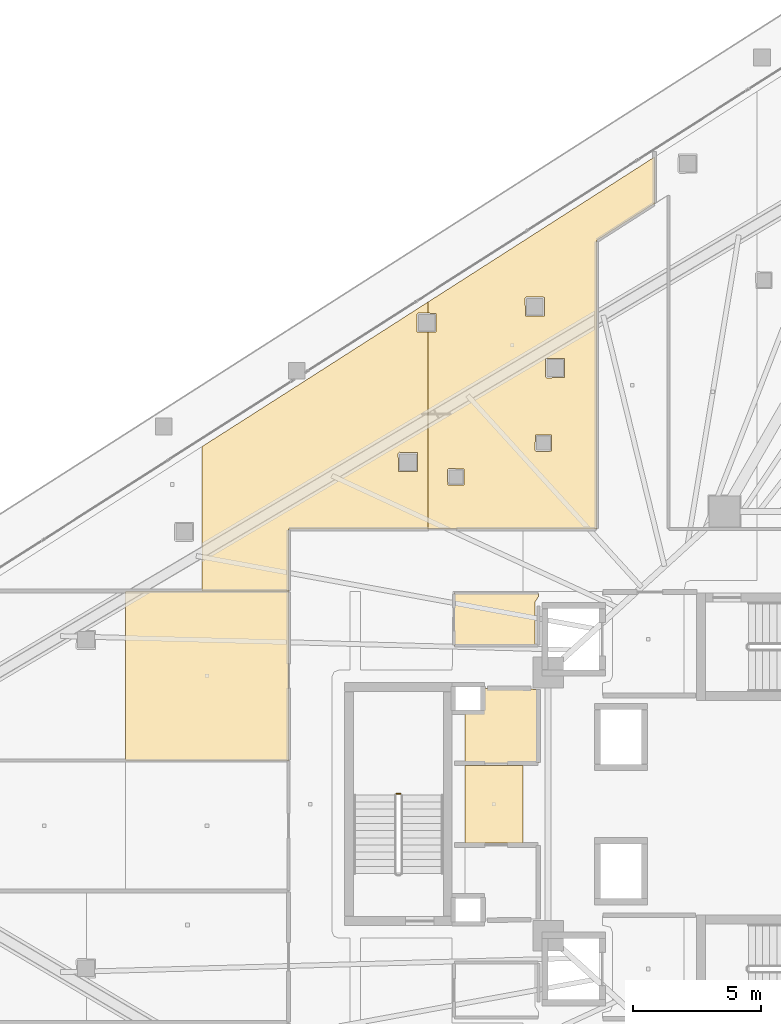
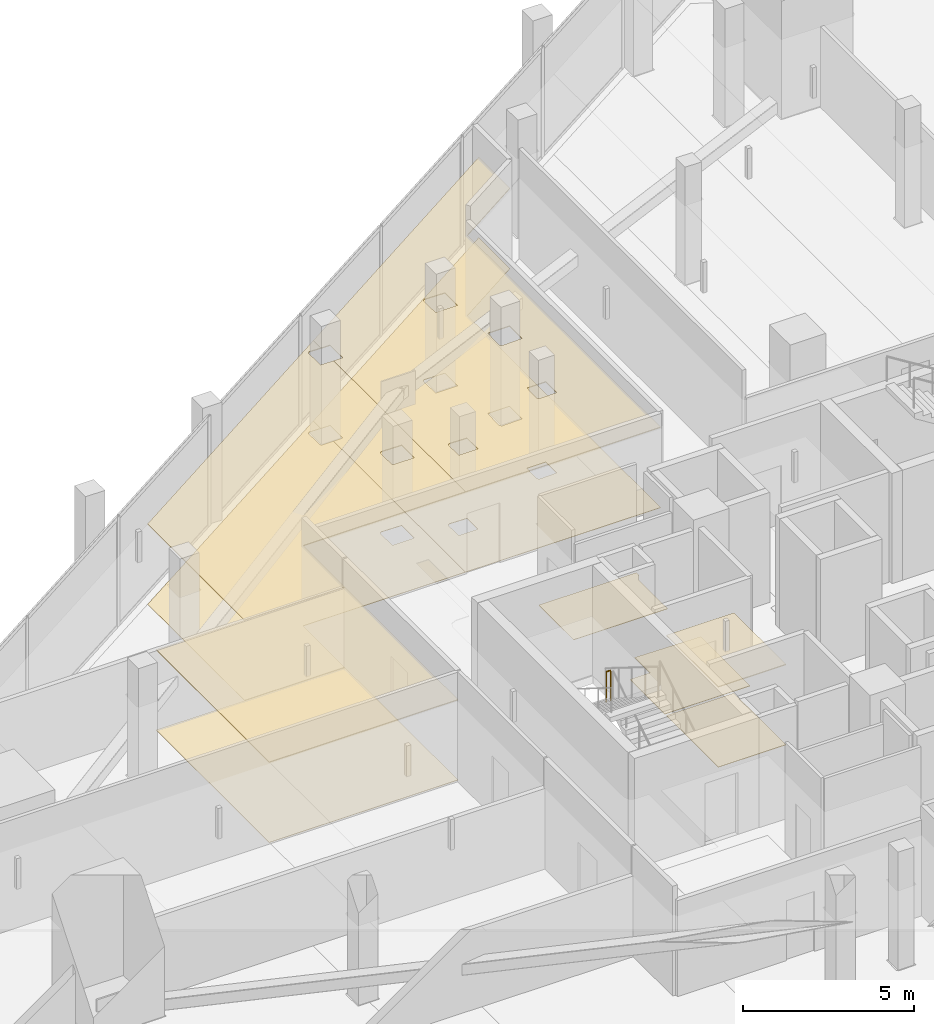
# One storey, part 49 of 52: 10 coverings, 1 railing.
"""IFC4 building model written with IfcOpenShell, lengths in metres."""

from ifc_helpers import new_model, si_unit, direction, frame, origin, origin_2d, place, context, subcontext, project, spatial, polyline, circle, outline, extrude, material, layer, layer_set, type_object, element, save


model = new_model("IFC4")

# Units and contexts
model_context = context("Model", 3, precision=1e-05, world=origin(), true_north=direction((0.0, 1.0)))
body_context = subcontext(model_context, "Body", "Model", "MODEL_VIEW")
ifc_project = project(units=[si_unit("LENGTHUNIT", "METRE"), si_unit("AREAUNIT", "SQUARE_METRE"), si_unit("VOLUMEUNIT", "CUBIC_METRE"), si_unit("PLANEANGLEUNIT", "RADIAN"), si_unit("MASSUNIT", "GRAM", prefix="KILO")], contexts=[model_context])

# Site, building, storey
site_placement = place(None, origin())
site = spatial("IfcSite", under=ifc_project, at=site_placement, CompositionType="ELEMENT")
building_placement = place(site_placement, origin())
building = spatial("IfcBuilding", under=site, at=building_placement, Name="Qorvath Tower", CompositionType="ELEMENT")
storey_placement = place(building_placement, frame((0.0, 0.0, 61.800048828125)))
storey = spatial("IfcBuildingStorey", under=building, at=storey_placement, Name="L13", CompositionType="ELEMENT", Elevation=61.800048828125)

# Coverings
ifc_material_1 = material(Name="Acoustic mineral fibre ceiling tile", Category="gypsum")
ifc_layer_1 = layer(ifc_material_1, 0.030029296875)
ifc_layer_set_1 = layer_set([ifc_layer_1], Name="COV-CEIL")
covering_type_1 = type_object("IfcCoveringType", Name="COV-CEIL", PredefinedType="CEILING", material=ifc_layer_set_1)
covering_1_placement = place(storey_placement, frame((0.0, 0.0, 2.849853515625)))
element("IfcCovering", 1, at=covering_1_placement, inside=storey, type_object=covering_type_1, Name="L13 Suspended Acoustic Ceiling 008", PredefinedType="CEILING", context=body_context, shape_type="SweptSolid", body=[
    extrude(outline(polyline([(-31.481689453125, -1.514892578125), (-31.481689453125, 1.514892578125), (-33.760009765625, 1.514892578125), (-33.760009765625, -1.514892578125), (-31.481689453125, -1.514892578125)])), origin(), (0.0, 0.0, 1.0), 0.030029296875),
])
covering_2_placement = place(storey_placement, frame((0.0, 0.0, 2.849853515625)))
element("IfcCovering", 2, at=covering_2_placement, inside=storey, type_object=covering_type_1, Name="L13 Suspended Acoustic Ceiling 011", PredefinedType="CEILING", context=body_context, shape_type="SweptSolid", body=[
    extrude(outline(polyline([(-44.038818359375, 13.986083984375), (-44.038818359375, 8.3349609375), (-40.6630859375, 8.3349609375), (-40.657958984375, 10.762939453125), (-35.191650390625, 10.762939453125), (-35.191650390625, 18.4619140625), (-35.619140625, 18.4619140625), (-35.63671875, 19.154296875), (-35.57666015625, 19.21435546875), (-35.191650390625, 19.20458984375), (-35.191650390625, 19.644775390625), (-39.965087890625, 16.58837890625), (-44.038818359375, 13.986083984375)]), holes=[polyline([(-36.36572265625, 13.705810546875), (-36.3056640625, 13.765869140625), (-35.61328125, 13.748291015625), (-35.61328125, 13.013427734375), (-36.34814453125, 13.013427734375), (-36.36572265625, 13.705810546875)])]), origin(), (0.0, 0.0, 1.0), 0.030029296875),
])
covering_3_placement = place(storey_placement, frame((0.0, 0.0, 2.849853515625)))
element("IfcCovering", 3, at=covering_3_placement, inside=storey, type_object=covering_type_1, Name="L13 Suspended Acoustic Ceiling 012", PredefinedType="CEILING", context=body_context, shape_type="SweptSolid", body=[
    extrude(outline(polyline([(-35.191650390625, 19.644775390625), (-35.191650390625, 19.20458984375), (-34.88427734375, 19.19677734375), (-34.88427734375, 18.4619140625), (-35.191650390625, 18.4619140625), (-35.191650390625, 10.762939453125), (-28.613037109375, 10.762939453125), (-28.613037109375, 22.0390625), (-26.3447265625, 23.491455078125), (-26.3447265625, 25.309814453125), (-35.191650390625, 19.644775390625)]), holes=[polyline([(-30.60986328125, 16.734619140625), (-30.59228515625, 17.427001953125), (-29.857421875, 17.427001953125), (-29.857421875, 16.692138671875), (-30.5498046875, 16.674560546875), (-30.60986328125, 16.734619140625)]), polyline([(-31.01220703125, 13.849365234375), (-30.99462890625, 14.441650390625), (-30.35986328125, 14.441650390625), (-30.35986328125, 13.806884765625), (-30.9521484375, 13.789306640625), (-31.01220703125, 13.849365234375)]), polyline([(-31.401123046875, 19.785400390625), (-31.341064453125, 19.845458984375), (-30.648681640625, 19.827880859375), (-30.648681640625, 19.093017578125), (-31.383544921875, 19.093017578125), (-31.401123046875, 19.785400390625)]), polyline([(-34.439208984375, 13.0673828125), (-34.379150390625, 13.12744140625), (-33.786865234375, 13.10986328125), (-33.786865234375, 12.47509765625), (-34.421630859375, 12.47509765625), (-34.439208984375, 13.0673828125)])]), origin(), (0.0, 0.0, 1.0), 0.030029296875),
])
covering_4_placement = place(storey_placement, frame((0.0, 0.0, 2.849853515625)))
element("IfcCovering", 4, at=covering_4_placement, inside=storey, type_object=covering_type_1, Name="L13 Suspended Acoustic Ceiling 045", PredefinedType="CEILING", context=body_context, shape_type="SweptSolid", body=[
    extrude(outline(polyline([(-40.6630859375, 1.716064453125), (-40.6630859375, 8.31689453125), (-47.023193359375, 8.32763671875), (-47.023193359375, 1.716064453125), (-40.6630859375, 1.716064453125)])), origin(), (0.0, 0.0, 1.0), 0.030029296875),
])
ifc_material_2 = material(Name="Low-VOC modular carpet tile", Category="textile")
ifc_layer_2 = layer(ifc_material_2, 0.014892578125)
ifc_layer_set_2 = layer_set([ifc_layer_2], Name="COV-FLOOR-CPT")
covering_type_2 = type_object("IfcCoveringType", Name="COV-FLOOR-CPT", PredefinedType="FLOORING", material=ifc_layer_set_2)
covering_5_placement = place(storey_placement, origin())
element("IfcCovering", 5, at=covering_5_placement, inside=storey, type_object=covering_type_2, Name="L13 Floor Finish 004", PredefinedType="FLOORING", context=body_context, shape_type="SweptSolid", body=[
    extrude(outline(polyline([(-33.760009765625, 3.636962890625), (-33.760009765625, 1.60498046875), (-30.885009765625, 1.60498046875), (-30.885009765625, 4.489990234375), (-33.0869140625, 4.534912109375), (-33.092041015625, 3.636962890625), (-33.760009765625, 3.636962890625)])), origin(), (0.0, 0.0, 1.0), 0.014892578125),
])
covering_6_placement = place(storey_placement, origin())
element("IfcCovering", 6, at=covering_6_placement, inside=storey, type_object=covering_type_2, Name="L13 Floor Finish 011", PredefinedType="FLOORING", context=body_context, shape_type="SweptSolid", body=[
    extrude(outline(polyline([(-44.038818359375, 13.986083984375), (-44.038818359375, 8.3349609375), (-40.6630859375, 8.3349609375), (-40.657958984375, 10.762939453125), (-35.191650390625, 10.762939453125), (-35.191650390625, 18.4619140625), (-35.619140625, 18.4619140625), (-35.63671875, 19.154296875), (-35.57666015625, 19.21435546875), (-35.191650390625, 19.20458984375), (-35.191650390625, 19.644775390625), (-39.965087890625, 16.58837890625), (-44.038818359375, 13.986083984375)]), holes=[polyline([(-36.36572265625, 13.705810546875), (-36.3056640625, 13.765869140625), (-35.61328125, 13.748291015625), (-35.61328125, 13.013427734375), (-36.34814453125, 13.013427734375), (-36.36572265625, 13.705810546875)])]), origin(), (0.0, 0.0, 1.0), 0.014892578125),
])
covering_7_placement = place(storey_placement, origin())
element("IfcCovering", 7, at=covering_7_placement, inside=storey, type_object=covering_type_2, Name="L13 Floor Finish 012", PredefinedType="FLOORING", context=body_context, shape_type="SweptSolid", body=[
    extrude(outline(polyline([(-35.191650390625, 19.644775390625), (-35.191650390625, 19.20458984375), (-34.88427734375, 19.19677734375), (-34.88427734375, 18.4619140625), (-35.191650390625, 18.4619140625), (-35.191650390625, 10.762939453125), (-28.613037109375, 10.762939453125), (-28.613037109375, 22.0390625), (-26.3447265625, 23.491455078125), (-26.3447265625, 25.309814453125), (-35.191650390625, 19.644775390625)]), holes=[polyline([(-30.60986328125, 16.734619140625), (-30.59228515625, 17.427001953125), (-29.857421875, 17.427001953125), (-29.857421875, 16.692138671875), (-30.5498046875, 16.674560546875), (-30.60986328125, 16.734619140625)]), polyline([(-31.01220703125, 13.849365234375), (-30.99462890625, 14.441650390625), (-30.35986328125, 14.441650390625), (-30.35986328125, 13.806884765625), (-30.9521484375, 13.789306640625), (-31.01220703125, 13.849365234375)]), polyline([(-31.401123046875, 19.785400390625), (-31.341064453125, 19.845458984375), (-30.648681640625, 19.827880859375), (-30.648681640625, 19.093017578125), (-31.383544921875, 19.093017578125), (-31.401123046875, 19.785400390625)]), polyline([(-34.439208984375, 13.0673828125), (-34.379150390625, 13.12744140625), (-33.786865234375, 13.10986328125), (-33.786865234375, 12.47509765625), (-34.421630859375, 12.47509765625), (-34.439208984375, 13.0673828125)])]), origin(), (0.0, 0.0, 1.0), 0.014892578125),
])
covering_8_placement = place(storey_placement, origin())
element("IfcCovering", 8, at=covering_8_placement, inside=storey, type_object=covering_type_2, Name="L13 Floor Finish 045", PredefinedType="FLOORING", context=body_context, shape_type="SweptSolid", body=[
    extrude(outline(polyline([(-40.6630859375, 1.716064453125), (-40.6630859375, 8.31689453125), (-47.023193359375, 8.32763671875), (-47.023193359375, 1.716064453125), (-40.6630859375, 1.716064453125)])), origin(), (0.0, 0.0, 1.0), 0.014892578125),
])
ifc_material_3 = material(Name="Polished epoxy terrazzo flooring", Category="concrete")
ifc_layer_3 = layer(ifc_material_3, 0.02001953125)
ifc_layer_set_3 = layer_set([ifc_layer_3], Name="COV-FLOOR-TRZ")
covering_type_3 = type_object("IfcCoveringType", Name="COV-FLOOR-TRZ", PredefinedType="FLOORING", material=ifc_layer_set_3)
covering_9_placement = place(storey_placement, origin())
element("IfcCovering", 9, at=covering_9_placement, inside=storey, type_object=covering_type_3, Name="L13 Floor Finish 003", PredefinedType="FLOORING", context=body_context, shape_type="SweptSolid", body=[
    extrude(outline(polyline([(-31.010009765625, 6.205078125), (-31.010009765625, 7.909912109375), (-30.885009765625, 8.108154296875), (-30.885009765625, 8.2451171875), (-34.175048828125, 8.2451171875), (-34.175048828125, 6.205078125), (-31.010009765625, 6.205078125)])), origin(), (0.0, 0.0, 1.0), 0.014892578125),
])
covering_10_placement = place(storey_placement, origin())
element("IfcCovering", 10, at=covering_10_placement, inside=storey, type_object=covering_type_3, Name="L13 Floor Finish 008", PredefinedType="FLOORING", context=body_context, shape_type="SweptSolid", body=[
    extrude(outline(polyline([(-31.481689453125, -1.514892578125), (-31.481689453125, 1.514892578125), (-33.760009765625, 1.514892578125), (-33.760009765625, -1.514892578125), (-31.481689453125, -1.514892578125)])), origin(), (0.0, 0.0, 1.0), 0.014892578125),
])

# Railing
ifc_material_4 = material(Name="Painted galvanised steel", Category="steel")
railing_type = type_object("IfcRailingType", Name="RL-STR-GRD", PredefinedType="GUARDRAIL", material=ifc_material_4)
railing_placement = place(storey_placement, frame((-36.280029296875, 0.409912109375, 2.099853515625)))
element("IfcRailing", 11, at=railing_placement, inside=storey, type_object=railing_type, Name="L13 TS3 stair guard 2", PredefinedType="GUARDRAIL", context=body_context, shape_type="SweptSolid", body=[
    extrude(circle(Radius=0.02392578125, at=origin_2d()), frame((0.0, 0.0, 1.076171875), z_axis=(-1.0, 0.0, 0.0), x_axis=(0.0, -1.0, 0.0)), (0.0, 0.0, 1.0), 0.14990234375),
    extrude(circle(Radius=0.02099609375, at=origin_2d()), origin(), (0.0, 0.0, 1.0), 1.052001953125),
    extrude(circle(Radius=0.02099609375, at=origin_2d()), frame((-0.14990234375, 0.0, 0.0)), (0.0, 0.0, 1.0), 1.052001953125),
])

save(model, "model.ifc")
